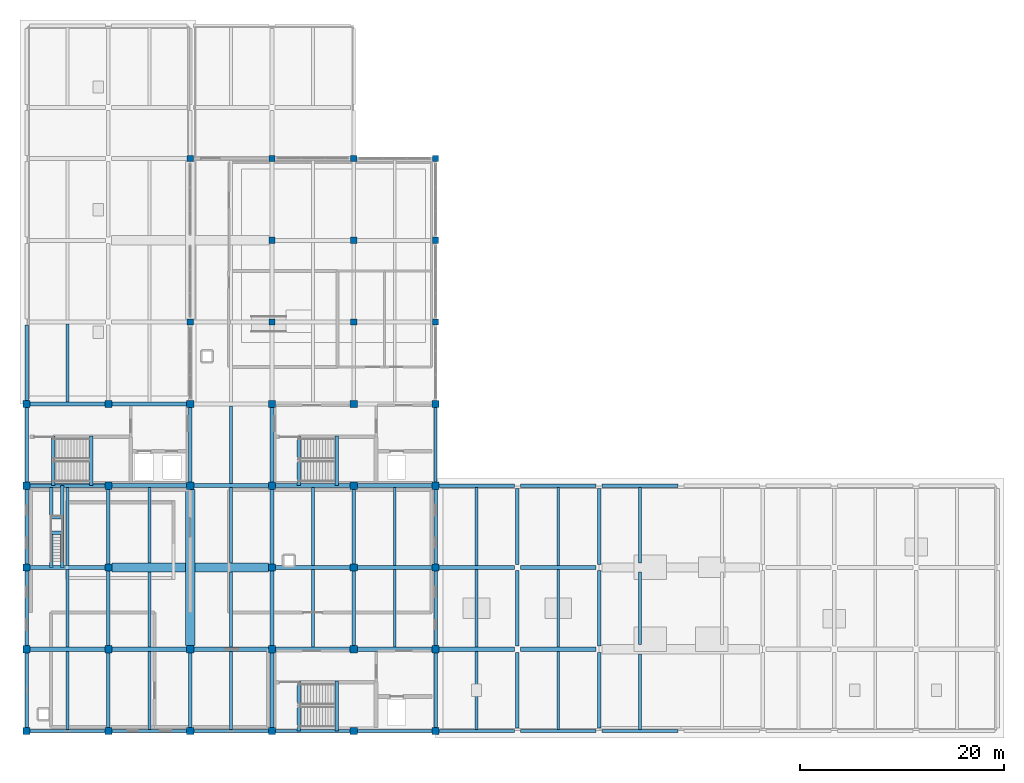
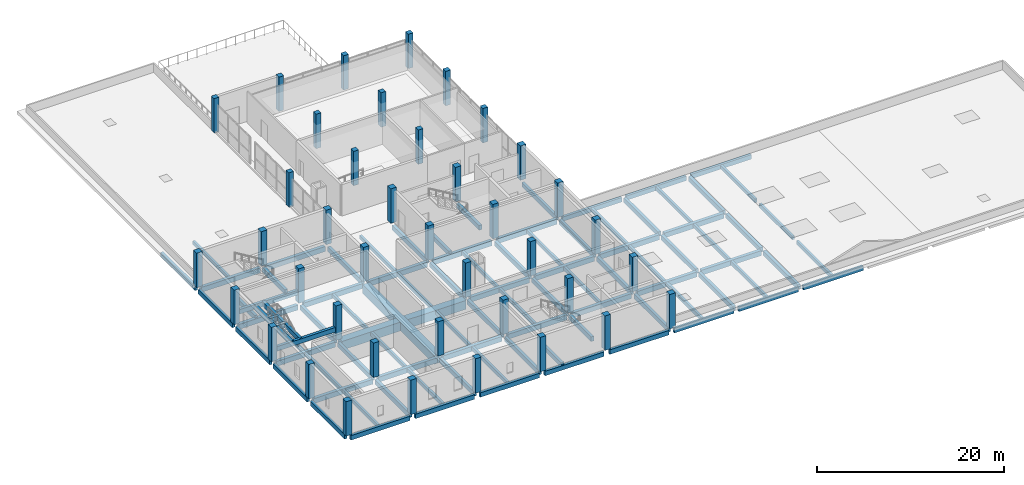
# One storey, part 1 of 14: 94 beams, 40 columns.
"""IFC4 building model written with IfcOpenShell, lengths in metres."""

from ifc_helpers import new_model, si_unit, direction, frame, origin, origin_2d, place, context, subcontext, project, spatial, rectangle, extrude, material, material_profile, profile_set, type_object, element, save


model = new_model("IFC4")

# Units and contexts
model_context = context("Model", 3, precision=1e-05, world=origin(), true_north=direction((0.0, 1.0)))
body_context = subcontext(model_context, "Body", "Model", "MODEL_VIEW")
ifc_project = project(units=[si_unit("LENGTHUNIT", "METRE"), si_unit("AREAUNIT", "SQUARE_METRE"), si_unit("VOLUMEUNIT", "CUBIC_METRE"), si_unit("PLANEANGLEUNIT", "RADIAN"), si_unit("MASSUNIT", "GRAM", prefix="KILO")], contexts=[model_context])

# Site, building, storey
site_placement = place(None, origin())
site = spatial("IfcSite", under=ifc_project, at=site_placement, CompositionType="ELEMENT")
building_placement = place(site_placement, origin())
building = spatial("IfcBuilding", under=site, at=building_placement, Name="Qorikala Patio Media Centre", CompositionType="ELEMENT")
storey_placement = place(building_placement, frame((0.0, 0.0, 23.39990234375)))
storey = spatial("IfcBuildingStorey", under=building, at=storey_placement, Name="L05", CompositionType="ELEMENT", Elevation=23.39990234375)

# Columns
ifc_material = material(Name="Concrete C35/45", Category="concrete")
ifc_material_profile_1 = material_profile(ifc_material, rectangle(XDim=0.60009765625, YDim=0.60009765625, at=origin_2d()), Name="RC 600x600")
ifc_profile_set_1 = profile_set([ifc_material_profile_1], Name="Concrete C35/45")
column_type_1 = type_object("IfcColumnType", Name="RC-COL-600-EXT", PredefinedType="COLUMN", material=ifc_profile_set_1)
for number, where, z_axis, x_axis, name in (
    (1, (19.0, 43.0, 0.0), (0.0, 0.0, 1.0), (1.0, 0.0, 0.0), "L05 Column (19,43)"),
    (2, (19.0, 59.0, 0.0), (0.0, 0.0, 1.0), (1.0, 0.0, 0.0), "L05 Column (19,59)"),
    (3, (27.0, 59.0, 0.0), (0.0, 0.0, 1.0), (1.0, 0.0, 0.0), "L05 Column (27,59)"),
    (4, (35.0, 59.0, 0.0), (0.0, 0.0, 1.0), (1.0, 0.0, 0.0), "L05 Column (35,59)"),
    (5, (43.0, 43.0, 0.0), (0.0, 0.0, 1.0), (1.0, 0.0, 0.0), "L05 Column (43,43)"),
    (6, (43.0, 51.0, 0.0), (0.0, 0.0, 1.0), (1.0, 0.0, 0.0), "L05 Column (43,51)"),
    (7, (43.0, 59.0, 0.0), (0.0, 0.0, 1.0), (1.0, 0.0, 0.0), "L05 Column (43,59)"),
):
    element("IfcColumn", number, at=place(storey_placement, frame(where, z_axis=z_axis, x_axis=x_axis)), inside=storey, type_object=column_type_1, Name=name, PredefinedType="COLUMN", context=body_context, shape_type="SweptSolid", body=[
        extrude(rectangle(XDim=0.60009765625, YDim=0.60009765625, at=origin_2d()), origin(), (0.0, 0.0, 1.0), 4.5),
    ])
ifc_material_profile_2 = material_profile(ifc_material, rectangle(XDim=0.60009765625, YDim=0.60009765625, at=origin_2d()), Name="RC 600x600")
ifc_profile_set_2 = profile_set([ifc_material_profile_2], Name="Concrete C35/45")
column_type_2 = type_object("IfcColumnType", Name="RC-COL-600-INT", PredefinedType="COLUMN", material=ifc_profile_set_2)
for number, where, z_axis, x_axis, name in (
    (8, (27.0, 43.0, 0.0), (0.0, 0.0, 1.0), (1.0, 0.0, 0.0), "L05 Column (27,43)"),
    (9, (27.0, 51.0, 0.0), (0.0, 0.0, 1.0), (1.0, 0.0, 0.0), "L05 Column (27,51)"),
    (10, (35.0, 43.0, 0.0), (0.0, 0.0, 1.0), (1.0, 0.0, 0.0), "L05 Column (35,43)"),
    (11, (35.0, 51.0, 0.0), (0.0, 0.0, 1.0), (1.0, 0.0, 0.0), "L05 Column (35,51)"),
):
    element("IfcColumn", number, at=place(storey_placement, frame(where, z_axis=z_axis, x_axis=x_axis)), inside=storey, type_object=column_type_2, Name=name, PredefinedType="COLUMN", context=body_context, shape_type="SweptSolid", body=[
        extrude(rectangle(XDim=0.60009765625, YDim=0.60009765625, at=origin_2d()), origin(), (0.0, 0.0, 1.0), 4.5),
    ])
ifc_material_profile_3 = material_profile(ifc_material, rectangle(XDim=0.699951171875, YDim=0.699951171875, at=origin_2d()), Name="RC 700x700")
ifc_profile_set_3 = profile_set([ifc_material_profile_3], Name="Concrete C35/45")
column_type_3 = type_object("IfcColumnType", Name="RC-COL-700-EXT", PredefinedType="COLUMN", material=ifc_profile_set_3)
for number, where, z_axis, x_axis, name in (
    (12, (3.0, 3.0, 0.0), (0.0, 0.0, 1.0), (1.0, 0.0, 0.0), "L05 Column (3,3)"),
    (13, (3.0, 11.0, 0.0), (0.0, 0.0, 1.0), (1.0, 0.0, 0.0), "L05 Column (3,11)"),
    (14, (3.0, 19.0, 0.0), (0.0, 0.0, 1.0), (1.0, 0.0, 0.0), "L05 Column (3,19)"),
    (15, (3.0, 27.0, 0.0), (0.0, 0.0, 1.0), (1.0, 0.0, 0.0), "L05 Column (3,27)"),
    (16, (3.0, 35.0, 0.0), (0.0, 0.0, 1.0), (1.0, 0.0, 0.0), "L05 Column (3,35)"),
    (17, (11.0, 3.0, 0.0), (0.0, 0.0, 1.0), (1.0, 0.0, 0.0), "L05 Column (11,3)"),
    (18, (11.0, 35.0, 0.0), (0.0, 0.0, 1.0), (1.0, 0.0, 0.0), "L05 Column (11,35)"),
    (19, (19.0, 3.0, 0.0), (0.0, 0.0, 1.0), (1.0, 0.0, 0.0), "L05 Column (19,3)"),
    (20, (19.0, 35.0, 0.0), (0.0, 0.0, 1.0), (1.0, 0.0, 0.0), "L05 Column (19,35)"),
    (21, (27.0, 3.0, 0.0), (0.0, 0.0, 1.0), (1.0, 0.0, 0.0), "L05 Column (27,3)"),
    (22, (35.0, 3.0, 0.0), (0.0, 0.0, 1.0), (1.0, 0.0, 0.0), "L05 Column (35,3)"),
    (23, (43.0, 3.0, 0.0), (0.0, 0.0, 1.0), (1.0, 0.0, 0.0), "L05 Column (43,3)"),
    (24, (43.0, 11.0, 0.0), (0.0, 0.0, 1.0), (1.0, 0.0, 0.0), "L05 Column (43,11)"),
    (25, (43.0, 19.0, 0.0), (0.0, 0.0, 1.0), (1.0, 0.0, 0.0), "L05 Column (43,19)"),
    (26, (43.0, 27.0, 0.0), (0.0, 0.0, 1.0), (1.0, 0.0, 0.0), "L05 Column (43,27)"),
    (27, (43.0, 35.0, 0.0), (0.0, 0.0, 1.0), (1.0, 0.0, 0.0), "L05 Column (43,35)"),
):
    element("IfcColumn", number, at=place(storey_placement, frame(where, z_axis=z_axis, x_axis=x_axis)), inside=storey, type_object=column_type_3, Name=name, PredefinedType="COLUMN", context=body_context, shape_type="SweptSolid", body=[
        extrude(rectangle(XDim=0.699951171875, YDim=0.699951171875, at=origin_2d()), origin(), (0.0, 0.0, 1.0), 4.5),
    ])
ifc_material_profile_4 = material_profile(ifc_material, rectangle(XDim=0.699951171875, YDim=0.699951171875, at=origin_2d()), Name="RC 700x700")
ifc_profile_set_4 = profile_set([ifc_material_profile_4], Name="Concrete C35/45")
column_type_4 = type_object("IfcColumnType", Name="RC-COL-700-INT", PredefinedType="COLUMN", material=ifc_profile_set_4)
for number, where, z_axis, x_axis, name in (
    (28, (11.0, 11.0, 0.0), (0.0, 0.0, 1.0), (1.0, 0.0, 0.0), "L05 Column (11,11)"),
    (29, (11.0, 19.0, 0.0), (0.0, 0.0, 1.0), (1.0, 0.0, 0.0), "L05 Column (11,19)"),
    (30, (11.0, 27.0, 0.0), (0.0, 0.0, 1.0), (1.0, 0.0, 0.0), "L05 Column (11,27)"),
    (31, (19.0, 11.0, 0.0), (0.0, 0.0, 1.0), (1.0, 0.0, 0.0), "L05 Column (19,11)"),
    (32, (19.0, 27.0, 0.0), (0.0, 0.0, 1.0), (1.0, 0.0, 0.0), "L05 Column (19,27)"),
    (33, (27.0, 11.0, 0.0), (0.0, 0.0, 1.0), (1.0, 0.0, 0.0), "L05 Column (27,11)"),
    (34, (27.0, 19.0, 0.0), (0.0, 0.0, 1.0), (1.0, 0.0, 0.0), "L05 Column (27,19)"),
    (35, (27.0, 27.0, 0.0), (0.0, 0.0, 1.0), (1.0, 0.0, 0.0), "L05 Column (27,27)"),
    (36, (27.0, 35.0, 0.0), (0.0, 0.0, 1.0), (1.0, 0.0, 0.0), "L05 Column (27,35)"),
    (37, (35.0, 11.0, 0.0), (0.0, 0.0, 1.0), (1.0, 0.0, 0.0), "L05 Column (35,11)"),
    (38, (35.0, 19.0, 0.0), (0.0, 0.0, 1.0), (1.0, 0.0, 0.0), "L05 Column (35,19)"),
    (39, (35.0, 27.0, 0.0), (0.0, 0.0, 1.0), (1.0, 0.0, 0.0), "L05 Column (35,27)"),
    (40, (35.0, 35.0, 0.0), (0.0, 0.0, 1.0), (1.0, 0.0, 0.0), "L05 Column (35,35)"),
):
    element("IfcColumn", number, at=place(storey_placement, frame(where, z_axis=z_axis, x_axis=x_axis)), inside=storey, type_object=column_type_4, Name=name, PredefinedType="COLUMN", context=body_context, shape_type="SweptSolid", body=[
        extrude(rectangle(XDim=0.699951171875, YDim=0.699951171875, at=origin_2d()), origin(), (0.0, 0.0, 1.0), 4.5),
    ])

# Beams
ifc_material_profile_5 = material_profile(ifc_material, rectangle(XDim=0.35009765625, YDim=0.60009765625, at=origin_2d()), Name="RC 350x600")
ifc_profile_set_5 = profile_set([ifc_material_profile_5], Name="Concrete C35/45")
beam_type_1 = type_object("IfcBeamType", Name="BM-G350X600", PredefinedType="BEAM", material=ifc_profile_set_5)
for number, where, z_axis, x_axis, name in (
    (41, (11.0, 3.35009765625, -0.599853515625), (0.0, 1.0, 0.0), (-1.0, 0.0, 0.0), "L05 Grid X=11 Beam 1567"),
    (42, (11.0, 11.35009765625, -0.599853515625), (0.0, 1.0, 0.0), (-1.0, 0.0, 0.0), "L05 Grid X=11 Beam 1568"),
    (43, (11.0, 19.35009765625, -0.599853515625), (0.0, 1.0, 0.0), (-1.0, 0.0, 0.0), "L05 Grid X=11 Beam 1569"),
    (44, (19.0, 3.35009765625, -0.599853515625), (0.0, 1.0, 0.0), (-1.0, 0.0, 0.0), "L05 Grid X=19 Beam 1575"),
    (45, (19.0, 27.35009765625, -0.599853515625), (0.0, 1.0, 0.0), (-1.0, 0.0, 0.0), "L05 Grid X=19 Beam 1577"),
    (46, (27.0, 3.35009765625, -0.599853515625), (0.0, 1.0, 0.0), (-1.0, 0.0, 0.0), "L05 Grid X=27 Beam 1582"),
    (47, (27.0, 11.35009765625, -0.599853515625), (0.0, 1.0, 0.0), (-1.0, 0.0, 0.0), "L05 Grid X=27 Beam 1583"),
    (48, (27.0, 19.35009765625, -0.599853515625), (0.0, 1.0, 0.0), (-1.0, 0.0, 0.0), "L05 Grid X=27 Beam 1584"),
    (49, (27.0, 27.35009765625, -0.599853515625), (0.0, 1.0, 0.0), (-1.0, 0.0, 0.0), "L05 Grid X=27 Beam 1585"),
    (50, (35.0, 11.35009765625, -0.599853515625), (0.0, 1.0, 0.0), (-1.0, 0.0, 0.0), "L05 Grid X=35 Beam 1591"),
    (51, (35.0, 19.35009765625, -0.599853515625), (0.0, 1.0, 0.0), (-1.0, 0.0, 0.0), "L05 Grid X=35 Beam 1592"),
    (52, (43.0, 3.35009765625, -0.599853515625), (0.0, 1.0, 0.0), (-1.0, 0.0, 0.0), "L05 Grid X=43 Beam 1598"),
    (53, (43.0, 11.35009765625, -0.599853515625), (0.0, 1.0, 0.0), (-1.0, 0.0, 0.0), "L05 Grid X=43 Beam 1599"),
    (54, (43.0, 19.35009765625, -0.599853515625), (0.0, 1.0, 0.0), (-1.0, 0.0, 0.0), "L05 Grid X=43 Beam 1600"),
):
    element("IfcBeam", number, at=place(storey_placement, frame(where, z_axis=z_axis, x_axis=x_axis)), inside=storey, type_object=beam_type_1, Name=name, PredefinedType="BEAM", context=body_context, shape_type="SweptSolid", body=[
        extrude(rectangle(XDim=0.35009765625, YDim=0.60009765625, at=origin_2d()), origin(), (0.0, 0.0, 1.0), 7.2998046875),
    ])
for number, where, z_axis, x_axis, name in (
    (55, (51.0, 3.300048828125, -0.599853515625), (0.0, 1.0, 0.0), (-1.0, 0.0, 0.0), "L05 Grid X=51 Beam 1605"),
    (56, (51.0, 11.300048828125, -0.599853515625), (0.0, 1.0, 0.0), (-1.0, 0.0, 0.0), "L05 Grid X=51 Beam 1606"),
    (57, (51.0, 19.300048828125, -0.599853515625), (0.0, 1.0, 0.0), (-1.0, 0.0, 0.0), "L05 Grid X=51 Beam 1607"),
    (58, (59.0, 3.300048828125, -0.599853515625), (0.0, 1.0, 0.0), (-1.0, 0.0, 0.0), "L05 Grid X=59 Beam 1608"),
    (59, (59.0, 11.300048828125, -0.599853515625), (0.0, 1.0, 0.0), (-1.0, 0.0, 0.0), "L05 Grid X=59 Beam 1609"),
    (60, (59.0, 19.300048828125, -0.599853515625), (0.0, 1.0, 0.0), (-1.0, 0.0, 0.0), "L05 Grid X=59 Beam 1610"),
):
    element("IfcBeam", number, at=place(storey_placement, frame(where, z_axis=z_axis, x_axis=x_axis)), inside=storey, type_object=beam_type_1, Name=name, PredefinedType="BEAM", context=body_context, shape_type="SweptSolid", body=[
        extrude(rectangle(XDim=0.35009765625, YDim=0.60009765625, at=origin_2d()), origin(), (0.0, 0.0, 1.0), 7.39990234375),
    ])
beam_1_placement = place(storey_placement, frame((29.60009765625, 3.0, -0.2998046875), z_axis=(0.0, 1.0, 0.0), x_axis=(-1.0, 0.0, 0.0)))
element("IfcBeam", 61, at=beam_1_placement, inside=storey, type_object=beam_type_1, Name="L05 ST-1 Well Trimmer Beam", PredefinedType="BEAM", context=body_context, shape_type="SweptSolid", body=[
    extrude(rectangle(XDim=0.35009765625, YDim=0.60009765625, at=origin_2d()), origin(), (0.0, 0.0, 1.0), 4.8798828125),
])
beam_2_placement = place(storey_placement, frame((33.330078125, 3.02001953125, 1.75), z_axis=(0.0, 1.0, 0.0), x_axis=(-1.0, 0.0, 0.0)))
element("IfcBeam", 62, at=beam_2_placement, inside=storey, type_object=beam_type_1, Name="L05 ST-1 Landing Beam 1", PredefinedType="BEAM", context=body_context, shape_type="SweptSolid", body=[
    extrude(rectangle(XDim=0.35009765625, YDim=0.60009765625, at=origin_2d()), origin(), (0.0, 0.0, 1.0), 4.85986328125),
])
beam_3_placement = place(storey_placement, frame((5.60009765625, 27.0, -0.2998046875), z_axis=(0.0, 1.0, 0.0), x_axis=(-1.0, 0.0, 0.0)))
element("IfcBeam", 63, at=beam_3_placement, inside=storey, type_object=beam_type_1, Name="L05 ST-2 Well Trimmer Beam", PredefinedType="BEAM", context=body_context, shape_type="SweptSolid", body=[
    extrude(rectangle(XDim=0.35009765625, YDim=0.60009765625, at=origin_2d()), origin(), (0.0, 0.0, 1.0), 4.8798828125),
])
beam_4_placement = place(storey_placement, frame((9.330078125, 27.02001953125, 1.75), z_axis=(0.0, 1.0, 0.0), x_axis=(-1.0, 0.0, 0.0)))
element("IfcBeam", 64, at=beam_4_placement, inside=storey, type_object=beam_type_1, Name="L05 ST-2 Landing Beam 1", PredefinedType="BEAM", context=body_context, shape_type="SweptSolid", body=[
    extrude(rectangle(XDim=0.35009765625, YDim=0.60009765625, at=origin_2d()), origin(), (0.0, 0.0, 1.0), 4.85986328125),
])
beam_5_placement = place(storey_placement, frame((29.60009765625, 27.0, -0.2998046875), z_axis=(0.0, 1.0, 0.0), x_axis=(-1.0, 0.0, 0.0)))
element("IfcBeam", 65, at=beam_5_placement, inside=storey, type_object=beam_type_1, Name="L05 ST-5 Well Trimmer Beam", PredefinedType="BEAM", context=body_context, shape_type="SweptSolid", body=[
    extrude(rectangle(XDim=0.35009765625, YDim=0.60009765625, at=origin_2d()), origin(), (0.0, 0.0, 1.0), 4.8798828125),
])
beam_6_placement = place(storey_placement, frame((33.330078125, 27.02001953125, 1.75), z_axis=(0.0, 1.0, 0.0), x_axis=(-1.0, 0.0, 0.0)))
element("IfcBeam", 66, at=beam_6_placement, inside=storey, type_object=beam_type_1, Name="L05 ST-5 Landing Beam 1", PredefinedType="BEAM", context=body_context, shape_type="SweptSolid", body=[
    extrude(rectangle(XDim=0.35009765625, YDim=0.60009765625, at=origin_2d()), origin(), (0.0, 0.0, 1.0), 4.85986328125),
])
for number, where, z_axis, x_axis, name in (
    (67, (3.0, 19.0, 1.300048828125), (1.0, 0.0, 0.0), (0.0, 1.0, 0.0), "Vomitory VS-07 Transverse Grid Beam S"),
    (68, (3.0, 27.0, 1.300048828125), (1.0, 0.0, 0.0), (0.0, 1.0, 0.0), "Vomitory VS-07 Transverse Grid Beam N"),
    (69, (5.39990234375, 19.0, 1.300048828125), (0.0, 1.0, 0.0), (-1.0, 0.0, 0.0), "Vomitory VS-07 Longitudinal Stringer L"),
    (70, (6.5, 19.0, 1.300048828125), (0.0, 1.0, 0.0), (-1.0, 0.0, 0.0), "Vomitory VS-07 Longitudinal Stringer R"),
):
    element("IfcBeam", number, at=place(storey_placement, frame(where, z_axis=z_axis, x_axis=x_axis)), inside=storey, type_object=beam_type_1, Name=name, PredefinedType="BEAM", context=body_context, shape_type="SweptSolid", body=[
        extrude(rectangle(XDim=0.35009765625, YDim=0.60009765625, at=origin_2d()), origin(), (0.0, 0.0, 1.0), 8.0),
    ])
for number, where, z_axis, x_axis, name in (
    (71, (5.39990234375, 22.39990234375, 1.300048828125), (1.0, 0.0, 0.0), (0.0, 1.0, 0.0), "Vomitory VS-07 Landing Cross Beam FR"),
    (72, (5.39990234375, 23.89990234375, 1.300048828125), (1.0, 0.0, 0.0), (0.0, 1.0, 0.0), "Vomitory VS-07 Landing Cross Beam BK"),
):
    element("IfcBeam", number, at=place(storey_placement, frame(where, z_axis=z_axis, x_axis=x_axis)), inside=storey, type_object=beam_type_1, Name=name, PredefinedType="BEAM", context=body_context, shape_type="SweptSolid", body=[
        extrude(rectangle(XDim=0.35009765625, YDim=0.60009765625, at=origin_2d()), origin(), (0.0, 0.0, 1.0), 1.10009765625),
    ])
ifc_material_profile_6 = material_profile(ifc_material, rectangle(XDim=0.39990234375, YDim=0.64990234375, at=origin_2d()), Name="RC 400x650")
ifc_profile_set_6 = profile_set([ifc_material_profile_6], Name="Concrete C35/45")
beam_type_2 = type_object("IfcBeamType", Name="BM-G400X650", PredefinedType="BEAM", material=ifc_profile_set_6)
for number, where, z_axis, x_axis, name in (
    (73, (3.35009765625, 11.0, -0.625), (1.0, 0.0, 0.0), (0.0, 1.0, 0.0), "L05 Grid 11 Beam 1498"),
    (74, (11.35009765625, 11.0, -0.625), (1.0, 0.0, 0.0), (0.0, 1.0, 0.0), "L05 Grid 11 Beam 1499"),
    (75, (19.35009765625, 11.0, -0.625), (1.0, 0.0, 0.0), (0.0, 1.0, 0.0), "L05 Grid 11 Beam 1500"),
    (76, (27.35009765625, 11.0, -0.625), (1.0, 0.0, 0.0), (0.0, 1.0, 0.0), "L05 Grid 11 Beam 1501"),
    (77, (35.35009765625, 11.0, -0.625), (1.0, 0.0, 0.0), (0.0, 1.0, 0.0), "L05 Grid 11 Beam 1502"),
):
    element("IfcBeam", number, at=place(storey_placement, frame(where, z_axis=z_axis, x_axis=x_axis)), inside=storey, type_object=beam_type_2, Name=name, PredefinedType="BEAM", context=body_context, shape_type="SweptSolid", body=[
        extrude(rectangle(XDim=0.39990234375, YDim=0.64990234375, at=origin_2d()), origin(), (0.0, 0.0, 1.0), 7.2998046875),
    ])
beam_7_placement = place(storey_placement, frame((43.35009765625, 11.0, -0.625), z_axis=(1.0, 0.0, 0.0), x_axis=(0.0, 1.0, 0.0)))
element("IfcBeam", 78, at=beam_7_placement, inside=storey, type_object=beam_type_2, Name="L05 Grid 11 Beam 1503", PredefinedType="BEAM", context=body_context, shape_type="SweptSolid", body=[
    extrude(rectangle(XDim=0.39990234375, YDim=0.64990234375, at=origin_2d()), origin(), (0.0, 0.0, 1.0), 7.349853515625),
])
beam_8_placement = place(storey_placement, frame((51.300048828125, 11.0, -0.625), z_axis=(1.0, 0.0, 0.0), x_axis=(0.0, 1.0, 0.0)))
element("IfcBeam", 79, at=beam_8_placement, inside=storey, type_object=beam_type_2, Name="L05 Grid 11 Beam 1504", PredefinedType="BEAM", context=body_context, shape_type="SweptSolid", body=[
    extrude(rectangle(XDim=0.39990234375, YDim=0.64990234375, at=origin_2d()), origin(), (0.0, 0.0, 1.0), 7.39990234375),
])
for number, where, z_axis, x_axis, name in (
    (80, (3.35009765625, 19.0, -0.625), (1.0, 0.0, 0.0), (0.0, 1.0, 0.0), "L05 Grid 19 Beam 1509"),
    (81, (27.35009765625, 19.0, -0.625), (1.0, 0.0, 0.0), (0.0, 1.0, 0.0), "L05 Grid 19 Beam 1511"),
    (82, (35.35009765625, 19.0, -0.625), (1.0, 0.0, 0.0), (0.0, 1.0, 0.0), "L05 Grid 19 Beam 1512"),
):
    element("IfcBeam", number, at=place(storey_placement, frame(where, z_axis=z_axis, x_axis=x_axis)), inside=storey, type_object=beam_type_2, Name=name, PredefinedType="BEAM", context=body_context, shape_type="SweptSolid", body=[
        extrude(rectangle(XDim=0.39990234375, YDim=0.64990234375, at=origin_2d()), origin(), (0.0, 0.0, 1.0), 7.2998046875),
    ])
beam_9_placement = place(storey_placement, frame((43.35009765625, 19.0, -0.625), z_axis=(1.0, 0.0, 0.0), x_axis=(0.0, 1.0, 0.0)))
element("IfcBeam", 83, at=beam_9_placement, inside=storey, type_object=beam_type_2, Name="L05 Grid 19 Beam 1513", PredefinedType="BEAM", context=body_context, shape_type="SweptSolid", body=[
    extrude(rectangle(XDim=0.39990234375, YDim=0.64990234375, at=origin_2d()), origin(), (0.0, 0.0, 1.0), 7.349853515625),
])
beam_10_placement = place(storey_placement, frame((51.300048828125, 19.0, -0.625), z_axis=(1.0, 0.0, 0.0), x_axis=(0.0, 1.0, 0.0)))
element("IfcBeam", 84, at=beam_10_placement, inside=storey, type_object=beam_type_2, Name="L05 Grid 19 Beam 1514", PredefinedType="BEAM", context=body_context, shape_type="SweptSolid", body=[
    extrude(rectangle(XDim=0.39990234375, YDim=0.64990234375, at=origin_2d()), origin(), (0.0, 0.0, 1.0), 7.39990234375),
])
for number, where, z_axis, x_axis, name in (
    (85, (3.35009765625, 27.0, -0.625), (1.0, 0.0, 0.0), (0.0, 1.0, 0.0), "L05 Grid 27 Beam 1519"),
    (86, (11.35009765625, 27.0, -0.625), (1.0, 0.0, 0.0), (0.0, 1.0, 0.0), "L05 Grid 27 Beam 1520"),
    (87, (19.35009765625, 27.0, -0.625), (1.0, 0.0, 0.0), (0.0, 1.0, 0.0), "L05 Grid 27 Beam 1521"),
    (88, (27.35009765625, 27.0, -0.625), (1.0, 0.0, 0.0), (0.0, 1.0, 0.0), "L05 Grid 27 Beam 1522"),
    (89, (35.35009765625, 27.0, -0.625), (1.0, 0.0, 0.0), (0.0, 1.0, 0.0), "L05 Grid 27 Beam 1523"),
    (90, (3.35009765625, 35.0, -0.625), (1.0, 0.0, 0.0), (0.0, 1.0, 0.0), "L05 Grid 35 Beam 1531"),
    (91, (11.35009765625, 35.0, -0.625), (1.0, 0.0, 0.0), (0.0, 1.0, 0.0), "L05 Grid 35 Beam 1532"),
):
    element("IfcBeam", number, at=place(storey_placement, frame(where, z_axis=z_axis, x_axis=x_axis)), inside=storey, type_object=beam_type_2, Name=name, PredefinedType="BEAM", context=body_context, shape_type="SweptSolid", body=[
        extrude(rectangle(XDim=0.39990234375, YDim=0.64990234375, at=origin_2d()), origin(), (0.0, 0.0, 1.0), 7.2998046875),
    ])
ifc_material_profile_7 = material_profile(ifc_material, rectangle(XDim=0.89990234375, YDim=1.14990234375, at=origin_2d()), Name="RC 900x1150")
ifc_profile_set_7 = profile_set([ifc_material_profile_7], Name="Concrete C35/45")
beam_type_3 = type_object("IfcBeamType", Name="BM-TR900X1150", PredefinedType="BEAM", material=ifc_profile_set_7)
for number, where, z_axis, x_axis, name in (
    (92, (11.35009765625, 19.0, -0.875), (1.0, 0.0, 0.0), (0.0, 1.0, 0.0), "L05 Grid 19 Beam 1510"),
    (93, (19.0, 11.35009765625, -0.875), (0.0, 1.0, 0.0), (-1.0, 0.0, 0.0), "L05 Grid X=19 Transfer Girder 1576"),
):
    element("IfcBeam", number, at=place(storey_placement, frame(where, z_axis=z_axis, x_axis=x_axis)), inside=storey, type_object=beam_type_3, Name=name, PredefinedType="BEAM", context=body_context, shape_type="SweptSolid", body=[
        extrude(rectangle(XDim=0.89990234375, YDim=1.14990234375, at=origin_2d()), origin(), (0.0, 0.0, 1.0), 15.2998046875),
    ])
ifc_material_profile_8 = material_profile(ifc_material, rectangle(XDim=0.280029296875, YDim=0.47998046875, at=origin_2d()), Name="RC 280x480")
ifc_profile_set_8 = profile_set([ifc_material_profile_8], Name="Concrete C35/45")
beam_type_4 = type_object("IfcBeamType", Name="JS-280X480", PredefinedType="JOIST", material=ifc_profile_set_8)
beam_11_placement = place(storey_placement, frame((7.0, 3.159912109375, -0.539794921875), z_axis=(0.0, 1.0, 0.0), x_axis=(-1.0, 0.0, 0.0)))
element("IfcBeam", 94, at=beam_11_placement, inside=storey, type_object=beam_type_4, Name="L05 Secondary Joist 1623", PredefinedType="JOIST", context=body_context, shape_type="SweptSolid", body=[
    extrude(rectangle(XDim=0.280029296875, YDim=0.47998046875, at=origin_2d()), origin(), (0.0, 0.0, 1.0), 7.64013671875),
])
for number, where, z_axis, x_axis, name in (
    (95, (7.0, 11.199951171875, -0.539794921875), (0.0, 1.0, 0.0), (-1.0, 0.0, 0.0), "L05 Secondary Joist 1624"),
    (96, (7.0, 19.199951171875, -0.539794921875), (0.0, 1.0, 0.0), (-1.0, 0.0, 0.0), "L05 Secondary Joist 1625"),
    (97, (7.0, 35.199951171875, -0.539794921875), (0.0, 1.0, 0.0), (-1.0, 0.0, 0.0), "L05 Secondary Joist 1626"),
):
    element("IfcBeam", number, at=place(storey_placement, frame(where, z_axis=z_axis, x_axis=x_axis)), inside=storey, type_object=beam_type_4, Name=name, PredefinedType="JOIST", context=body_context, shape_type="SweptSolid", body=[
        extrude(rectangle(XDim=0.280029296875, YDim=0.47998046875, at=origin_2d()), origin(), (0.0, 0.0, 1.0), 7.60009765625),
    ])
beam_12_placement = place(storey_placement, frame((15.0, 3.159912109375, -0.539794921875), z_axis=(0.0, 1.0, 0.0), x_axis=(-1.0, 0.0, 0.0)))
element("IfcBeam", 98, at=beam_12_placement, inside=storey, type_object=beam_type_4, Name="L05 Secondary Joist 1630", PredefinedType="JOIST", context=body_context, shape_type="SweptSolid", body=[
    extrude(rectangle(XDim=0.280029296875, YDim=0.47998046875, at=origin_2d()), origin(), (0.0, 0.0, 1.0), 7.64013671875),
])
for number, where, z_axis, x_axis, name in (
    (99, (15.0, 11.199951171875, -0.539794921875), (0.0, 1.0, 0.0), (-1.0, 0.0, 0.0), "L05 Secondary Joist 1631"),
    (100, (15.0, 19.449951171875, -0.539794921875), (0.0, 1.0, 0.0), (-1.0, 0.0, 0.0), "L05 Secondary Joist 1632"),
):
    element("IfcBeam", number, at=place(storey_placement, frame(where, z_axis=z_axis, x_axis=x_axis)), inside=storey, type_object=beam_type_4, Name=name, PredefinedType="JOIST", context=body_context, shape_type="SweptSolid", body=[
        extrude(rectangle(XDim=0.280029296875, YDim=0.47998046875, at=origin_2d()), origin(), (0.0, 0.0, 1.0), 7.35009765625),
    ])
beam_13_placement = place(storey_placement, frame((23.0, 3.159912109375, -0.539794921875), z_axis=(0.0, 1.0, 0.0), x_axis=(-1.0, 0.0, 0.0)))
element("IfcBeam", 101, at=beam_13_placement, inside=storey, type_object=beam_type_4, Name="L05 Secondary Joist 1637", PredefinedType="JOIST", context=body_context, shape_type="SweptSolid", body=[
    extrude(rectangle(XDim=0.280029296875, YDim=0.47998046875, at=origin_2d()), origin(), (0.0, 0.0, 1.0), 7.64013671875),
])
for number, where, z_axis, x_axis, name in (
    (102, (23.0, 11.199951171875, -0.539794921875), (0.0, 1.0, 0.0), (-1.0, 0.0, 0.0), "L05 Secondary Joist 1638"),
    (103, (23.0, 19.449951171875, -0.539794921875), (0.0, 1.0, 0.0), (-1.0, 0.0, 0.0), "L05 Secondary Joist 1639"),
):
    element("IfcBeam", number, at=place(storey_placement, frame(where, z_axis=z_axis, x_axis=x_axis)), inside=storey, type_object=beam_type_4, Name=name, PredefinedType="JOIST", context=body_context, shape_type="SweptSolid", body=[
        extrude(rectangle(XDim=0.280029296875, YDim=0.47998046875, at=origin_2d()), origin(), (0.0, 0.0, 1.0), 7.35009765625),
    ])
for number, where, z_axis, x_axis, name in (
    (104, (23.0, 27.199951171875, -0.539794921875), (0.0, 1.0, 0.0), (-1.0, 0.0, 0.0), "L05 Secondary Joist 1640"),
    (105, (31.0, 11.199951171875, -0.539794921875), (0.0, 1.0, 0.0), (-1.0, 0.0, 0.0), "L05 Secondary Joist 1645"),
    (106, (31.0, 19.199951171875, -0.539794921875), (0.0, 1.0, 0.0), (-1.0, 0.0, 0.0), "L05 Secondary Joist 1646"),
    (107, (39.0, 11.199951171875, -0.539794921875), (0.0, 1.0, 0.0), (-1.0, 0.0, 0.0), "L05 Secondary Joist 1651"),
    (108, (39.0, 19.199951171875, -0.539794921875), (0.0, 1.0, 0.0), (-1.0, 0.0, 0.0), "L05 Secondary Joist 1652"),
):
    element("IfcBeam", number, at=place(storey_placement, frame(where, z_axis=z_axis, x_axis=x_axis)), inside=storey, type_object=beam_type_4, Name=name, PredefinedType="JOIST", context=body_context, shape_type="SweptSolid", body=[
        extrude(rectangle(XDim=0.280029296875, YDim=0.47998046875, at=origin_2d()), origin(), (0.0, 0.0, 1.0), 7.60009765625),
    ])
beam_14_placement = place(storey_placement, frame((47.0, 3.159912109375, -0.539794921875), z_axis=(0.0, 1.0, 0.0), x_axis=(-1.0, 0.0, 0.0)))
element("IfcBeam", 109, at=beam_14_placement, inside=storey, type_object=beam_type_4, Name="L05 Secondary Joist 1656", PredefinedType="JOIST", context=body_context, shape_type="SweptSolid", body=[
    extrude(rectangle(XDim=0.280029296875, YDim=0.47998046875, at=origin_2d()), origin(), (0.0, 0.0, 1.0), 7.64013671875),
])
beam_15_placement = place(storey_placement, frame((47.0, 11.199951171875, -0.539794921875), z_axis=(0.0, 1.0, 0.0), x_axis=(-1.0, 0.0, 0.0)))
element("IfcBeam", 110, at=beam_15_placement, inside=storey, type_object=beam_type_4, Name="L05 Secondary Joist 1657", PredefinedType="JOIST", context=body_context, shape_type="SweptSolid", body=[
    extrude(rectangle(XDim=0.280029296875, YDim=0.47998046875, at=origin_2d()), origin(), (0.0, 0.0, 1.0), 7.60009765625),
])
for number, where, z_axis, x_axis, name in (
    (111, (47.0, 19.199951171875, -0.539794921875), (0.0, 1.0, 0.0), (-1.0, 0.0, 0.0), "L05 Secondary Joist 1658"),
    (112, (55.0, 3.159912109375, -0.539794921875), (0.0, 1.0, 0.0), (-1.0, 0.0, 0.0), "L05 Secondary Joist 1659"),
):
    element("IfcBeam", number, at=place(storey_placement, frame(where, z_axis=z_axis, x_axis=x_axis)), inside=storey, type_object=beam_type_4, Name=name, PredefinedType="JOIST", context=body_context, shape_type="SweptSolid", body=[
        extrude(rectangle(XDim=0.280029296875, YDim=0.47998046875, at=origin_2d()), origin(), (0.0, 0.0, 1.0), 7.64013671875),
    ])
beam_16_placement = place(storey_placement, frame((55.0, 11.199951171875, -0.539794921875), z_axis=(0.0, 1.0, 0.0), x_axis=(-1.0, 0.0, 0.0)))
element("IfcBeam", 113, at=beam_16_placement, inside=storey, type_object=beam_type_4, Name="L05 Secondary Joist 1660", PredefinedType="JOIST", context=body_context, shape_type="SweptSolid", body=[
    extrude(rectangle(XDim=0.280029296875, YDim=0.47998046875, at=origin_2d()), origin(), (0.0, 0.0, 1.0), 7.60009765625),
])
beam_17_placement = place(storey_placement, frame((55.0, 19.199951171875, -0.539794921875), z_axis=(0.0, 1.0, 0.0), x_axis=(-1.0, 0.0, 0.0)))
element("IfcBeam", 114, at=beam_17_placement, inside=storey, type_object=beam_type_4, Name="L05 Secondary Joist 1661", PredefinedType="JOIST", context=body_context, shape_type="SweptSolid", body=[
    extrude(rectangle(XDim=0.280029296875, YDim=0.47998046875, at=origin_2d()), origin(), (0.0, 0.0, 1.0), 7.64013671875),
])
beam_18_placement = place(storey_placement, frame((63.0, 3.159912109375, -0.539794921875), z_axis=(0.0, 1.0, 0.0), x_axis=(-1.0, 0.0, 0.0)))
element("IfcBeam", 115, at=beam_18_placement, inside=storey, type_object=beam_type_4, Name="L05 Secondary Joist 1662", PredefinedType="JOIST", context=body_context, shape_type="SweptSolid", body=[
    extrude(rectangle(XDim=0.280029296875, YDim=0.47998046875, at=origin_2d()), origin(), (0.0, 0.0, 1.0), 7.39013671875),
])
beam_19_placement = place(storey_placement, frame((63.0, 11.449951171875, -0.539794921875), z_axis=(0.0, 1.0, 0.0), x_axis=(-1.0, 0.0, 0.0)))
element("IfcBeam", 116, at=beam_19_placement, inside=storey, type_object=beam_type_4, Name="L05 Secondary Joist 1663", PredefinedType="JOIST", context=body_context, shape_type="SweptSolid", body=[
    extrude(rectangle(XDim=0.280029296875, YDim=0.47998046875, at=origin_2d()), origin(), (0.0, 0.0, 1.0), 7.10009765625),
])
beam_20_placement = place(storey_placement, frame((63.0, 19.449951171875, -0.539794921875), z_axis=(0.0, 1.0, 0.0), x_axis=(-1.0, 0.0, 0.0)))
element("IfcBeam", 117, at=beam_20_placement, inside=storey, type_object=beam_type_4, Name="L05 Secondary Joist 1664", PredefinedType="JOIST", context=body_context, shape_type="SweptSolid", body=[
    extrude(rectangle(XDim=0.280029296875, YDim=0.47998046875, at=origin_2d()), origin(), (0.0, 0.0, 1.0), 7.39013671875),
])
ifc_material_profile_9 = material_profile(ifc_material, rectangle(XDim=0.320068359375, YDim=0.580078125, at=origin_2d()), Name="RC 320x580")
ifc_profile_set_9 = profile_set([ifc_material_profile_9], Name="Concrete C35/45")
beam_type_5 = type_object("IfcBeamType", Name="SP-320X580", PredefinedType="SPANDREL", material=ifc_profile_set_9)
for number, where, z_axis, x_axis, name in (
    (118, (3.35009765625, 3.0, -0.58984375), (1.0, 0.0, 0.0), (0.0, 1.0, 0.0), "L05 Grid 3 Beam 1486"),
    (119, (11.35009765625, 3.0, -0.58984375), (1.0, 0.0, 0.0), (0.0, 1.0, 0.0), "L05 Grid 3 Beam 1487"),
    (120, (19.35009765625, 3.0, -0.58984375), (1.0, 0.0, 0.0), (0.0, 1.0, 0.0), "L05 Grid 3 Beam 1488"),
    (121, (27.35009765625, 3.0, -0.58984375), (1.0, 0.0, 0.0), (0.0, 1.0, 0.0), "L05 Grid 3 Beam 1489"),
    (122, (35.35009765625, 3.0, -0.58984375), (1.0, 0.0, 0.0), (0.0, 1.0, 0.0), "L05 Grid 3 Beam 1490"),
):
    element("IfcBeam", number, at=place(storey_placement, frame(where, z_axis=z_axis, x_axis=x_axis)), inside=storey, type_object=beam_type_5, Name=name, PredefinedType="SPANDREL", context=body_context, shape_type="SweptSolid", body=[
        extrude(rectangle(XDim=0.320068359375, YDim=0.580078125, at=origin_2d()), origin(), (0.0, 0.0, 1.0), 7.2998046875),
    ])
beam_21_placement = place(storey_placement, frame((43.35009765625, 3.0, -0.58984375), z_axis=(1.0, 0.0, 0.0), x_axis=(0.0, 1.0, 0.0)))
element("IfcBeam", 123, at=beam_21_placement, inside=storey, type_object=beam_type_5, Name="L05 Grid 3 Beam 1491", PredefinedType="SPANDREL", context=body_context, shape_type="SweptSolid", body=[
    extrude(rectangle(XDim=0.320068359375, YDim=0.580078125, at=origin_2d()), origin(), (0.0, 0.0, 1.0), 7.349853515625),
])
for number, where, z_axis, x_axis, name in (
    (124, (51.300048828125, 3.0, -0.58984375), (1.0, 0.0, 0.0), (0.0, 1.0, 0.0), "L05 Grid 3 Beam 1492"),
    (125, (59.300048828125, 3.0, -0.58984375), (1.0, 0.0, 0.0), (0.0, 1.0, 0.0), "L05 Grid 3 Beam 1493"),
):
    element("IfcBeam", number, at=place(storey_placement, frame(where, z_axis=z_axis, x_axis=x_axis)), inside=storey, type_object=beam_type_5, Name=name, PredefinedType="SPANDREL", context=body_context, shape_type="SweptSolid", body=[
        extrude(rectangle(XDim=0.320068359375, YDim=0.580078125, at=origin_2d()), origin(), (0.0, 0.0, 1.0), 7.39990234375),
    ])
beam_22_placement = place(storey_placement, frame((43.35009765625, 27.0, -0.58984375), z_axis=(1.0, 0.0, 0.0), x_axis=(0.0, 1.0, 0.0)))
element("IfcBeam", 126, at=beam_22_placement, inside=storey, type_object=beam_type_5, Name="L05 Grid 27 Beam 1524", PredefinedType="SPANDREL", context=body_context, shape_type="SweptSolid", body=[
    extrude(rectangle(XDim=0.320068359375, YDim=0.580078125, at=origin_2d()), origin(), (0.0, 0.0, 1.0), 7.349853515625),
])
for number, where, z_axis, x_axis, name in (
    (127, (51.300048828125, 27.0, -0.58984375), (1.0, 0.0, 0.0), (0.0, 1.0, 0.0), "L05 Grid 27 Beam 1525"),
    (128, (59.300048828125, 27.0, -0.58984375), (1.0, 0.0, 0.0), (0.0, 1.0, 0.0), "L05 Grid 27 Beam 1526"),
):
    element("IfcBeam", number, at=place(storey_placement, frame(where, z_axis=z_axis, x_axis=x_axis)), inside=storey, type_object=beam_type_5, Name=name, PredefinedType="SPANDREL", context=body_context, shape_type="SweptSolid", body=[
        extrude(rectangle(XDim=0.320068359375, YDim=0.580078125, at=origin_2d()), origin(), (0.0, 0.0, 1.0), 7.39990234375),
    ])
for number, where, z_axis, x_axis, name in (
    (129, (3.0, 3.35009765625, -0.58984375), (0.0, 1.0, 0.0), (-1.0, 0.0, 0.0), "L05 Grid X=3 Beam 1558"),
    (130, (3.0, 11.35009765625, -0.58984375), (0.0, 1.0, 0.0), (-1.0, 0.0, 0.0), "L05 Grid X=3 Beam 1559"),
    (131, (3.0, 19.35009765625, -0.58984375), (0.0, 1.0, 0.0), (-1.0, 0.0, 0.0), "L05 Grid X=3 Beam 1560"),
    (132, (3.0, 27.35009765625, -0.58984375), (0.0, 1.0, 0.0), (-1.0, 0.0, 0.0), "L05 Grid X=3 Beam 1561"),
):
    element("IfcBeam", number, at=place(storey_placement, frame(where, z_axis=z_axis, x_axis=x_axis)), inside=storey, type_object=beam_type_5, Name=name, PredefinedType="SPANDREL", context=body_context, shape_type="SweptSolid", body=[
        extrude(rectangle(XDim=0.320068359375, YDim=0.580078125, at=origin_2d()), origin(), (0.0, 0.0, 1.0), 7.2998046875),
    ])
beam_23_placement = place(storey_placement, frame((3.0, 35.35009765625, -0.58984375), z_axis=(0.0, 1.0, 0.0), x_axis=(-1.0, 0.0, 0.0)))
element("IfcBeam", 133, at=beam_23_placement, inside=storey, type_object=beam_type_5, Name="L05 Grid X=3 Beam 1562", PredefinedType="SPANDREL", context=body_context, shape_type="SweptSolid", body=[
    extrude(rectangle(XDim=0.320068359375, YDim=0.580078125, at=origin_2d()), origin(), (0.0, 0.0, 1.0), 7.349853515625),
])
beam_24_placement = place(storey_placement, frame((43.0, 27.35009765625, -0.58984375), z_axis=(0.0, 1.0, 0.0), x_axis=(-1.0, 0.0, 0.0)))
element("IfcBeam", 134, at=beam_24_placement, inside=storey, type_object=beam_type_5, Name="L05 Grid X=43 Beam 1601", PredefinedType="SPANDREL", context=body_context, shape_type="SweptSolid", body=[
    extrude(rectangle(XDim=0.320068359375, YDim=0.580078125, at=origin_2d()), origin(), (0.0, 0.0, 1.0), 7.2998046875),
])

save(model, "model.ifc")
